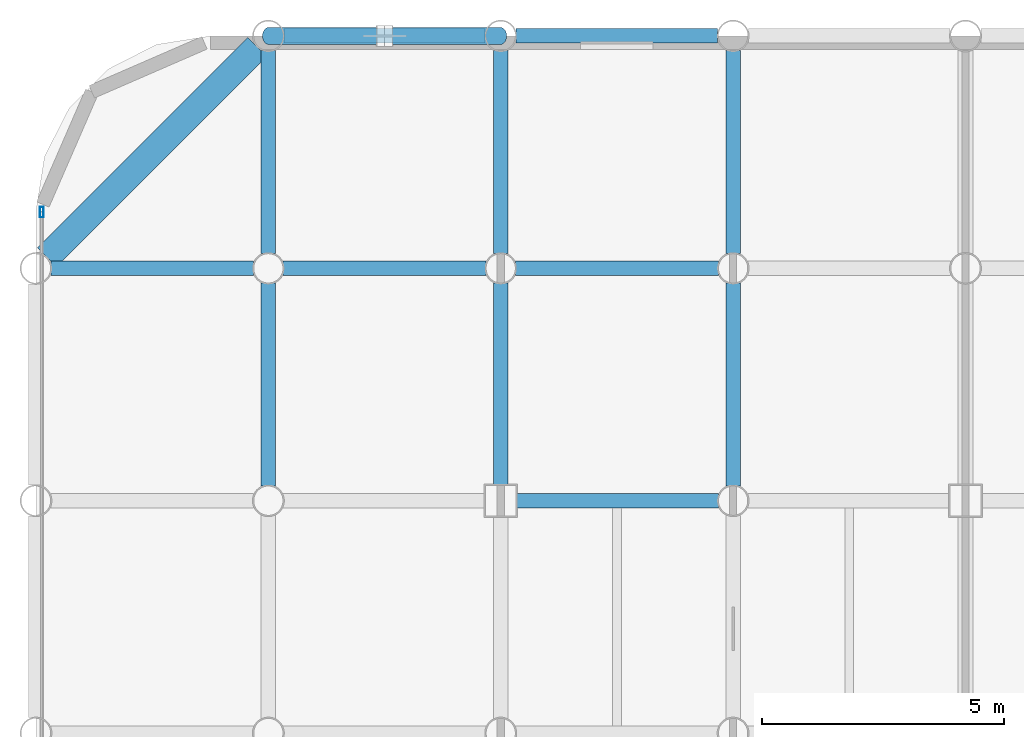
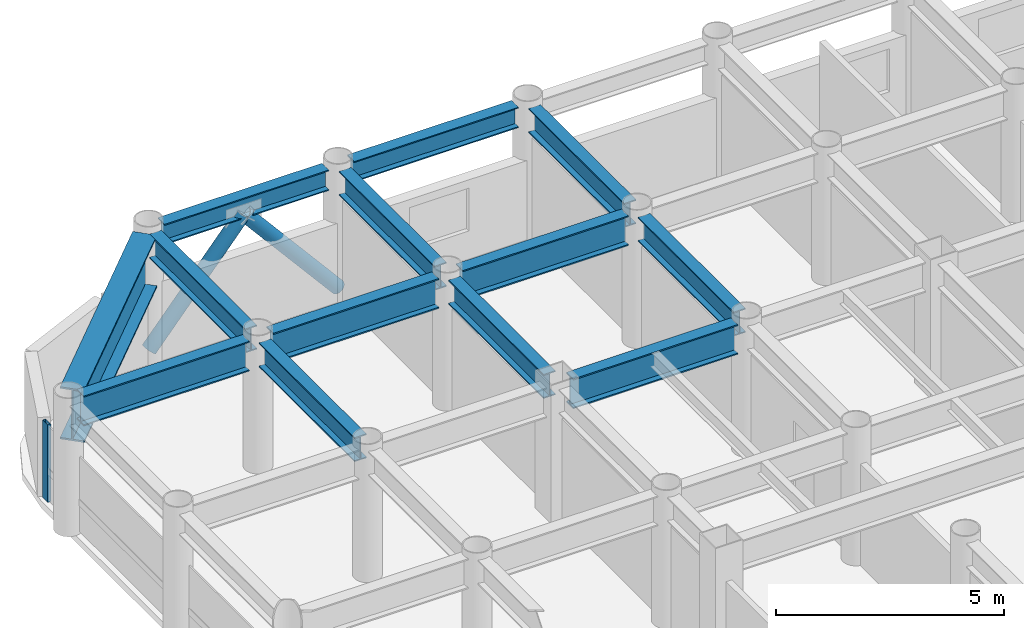
# One storey, part 10 of 20: 13 beams, 3 members, 1 element without a shape of its own.
"""IFC4 building model written with IfcOpenShell, lengths in metres."""

from ifc_helpers import new_model, si_unit, direction, frame, origin, origin_2d, place, context, subcontext, project, spatial, hollow_rectangle, hollow_circle, i_section, extrude, material, layer, layer_set, material_profile, profile_set, type_object, element, aggregate, save


model = new_model("IFC4")

# Units and contexts
model_context = context("Model", 3, precision=1e-05, world=origin(), true_north=direction((0.0, 1.0)))
body_context = subcontext(model_context, "Body", "Model", "MODEL_VIEW")
ifc_project = project(units=[si_unit("LENGTHUNIT", "METRE"), si_unit("AREAUNIT", "SQUARE_METRE"), si_unit("VOLUMEUNIT", "CUBIC_METRE"), si_unit("PLANEANGLEUNIT", "RADIAN"), si_unit("MASSUNIT", "GRAM", prefix="KILO")], contexts=[model_context])

# Site, building, storey
site_placement = place(None, origin())
site = spatial("IfcSite", under=ifc_project, at=site_placement, CompositionType="ELEMENT")
building_placement = place(site_placement, origin())
building = spatial("IfcBuilding", under=site, at=building_placement, Name="Kallvorn Hotel Tower", CompositionType="ELEMENT")
storey_placement = place(building_placement, frame((0.0, 0.0, 128.5)))
storey = spatial("IfcBuildingStorey", under=building, at=storey_placement, Name="L31", CompositionType="ELEMENT", Elevation=128.5)

# Beams
ifc_material_1 = material(Name="Structural steel S355JR", Category="steel")
ifc_material_profile_1 = material_profile(ifc_material_1, i_section(OverallWidth=0.300048828125, OverallDepth=0.550048828125, WebThickness=0.014892578125, FlangeThickness=0.029052734375, at=origin_2d()), Name="HE 550 B")
ifc_profile_set_1 = profile_set([ifc_material_profile_1], Name="Structural steel S355JR")
beam_type_1 = type_object("IfcBeamType", Name="BM_HE550B", PredefinedType="SPANDREL", material=ifc_profile_set_1)
for number, where, z_axis, x_axis, name in (
    (1, (-28.47998046875, 24.0, 3.2451171875), (1.0, 0.0, 0.0), (0.0, 1.0, 0.0), "L32 Perimeter Spandrel 163"),
    (2, (-23.679931640625, 24.0, 3.2451171875), (1.0, 0.0, 0.0), (0.0, 1.0, 0.0), "L32 Perimeter Spandrel 164"),
):
    element("IfcBeam", number, at=place(storey_placement, frame(where, z_axis=z_axis, x_axis=x_axis)), inside=storey, type_object=beam_type_1, Name=name, PredefinedType="SPANDREL", context=body_context, shape_type="SweptSolid", body=[
        extrude(i_section(OverallWidth=0.300048828125, OverallDepth=0.550048828125, WebThickness=0.014892578125, FlangeThickness=0.029052734375, at=origin_2d()), origin(), (0.0, 0.0, 1.0), 4.159912109375),
    ])
ifc_material_2 = material(Name="Structural steel S355JR", Category="steel")
ifc_material_profile_2 = material_profile(ifc_material_2, i_section(OverallWidth=0.300048828125, OverallDepth=0.64990234375, WebThickness=0.01611328125, FlangeThickness=0.031005859375, at=origin_2d()), Name="HE 650 B")
ifc_profile_set_2 = profile_set([ifc_material_profile_2], Name="Structural steel S355JR")
beam_type_2 = type_object("IfcBeamType", Name="BM_HE650B", PredefinedType="BEAM", material=ifc_profile_set_2)
beam_1_placement = place(storey_placement, frame((-28.800048828125, 14.705078125, 3.195068359375), z_axis=(0.0, 1.0, 0.0), x_axis=(-1.0, 0.0, 0.0)))
element("IfcBeam", 3, at=beam_1_placement, inside=storey, type_object=beam_type_2, Name="L32 Primary Y-Girder 80", PredefinedType="BEAM", context=body_context, shape_type="SweptSolid", body=[
    extrude(i_section(OverallWidth=0.300048828125, OverallDepth=0.64990234375, WebThickness=0.01611328125, FlangeThickness=0.031005859375, at=origin_2d()), origin(), (0.0, 0.0, 1.0), 4.18994140625),
])
beam_2_placement = place(storey_placement, frame((-28.800048828125, 19.5048828125, 3.195068359375), z_axis=(0.0, 1.0, 0.0), x_axis=(-1.0, 0.0, 0.0)))
element("IfcBeam", 4, at=beam_2_placement, inside=storey, type_object=beam_type_2, Name="L32 Primary Y-Girder 81", PredefinedType="BEAM", context=body_context, shape_type="SweptSolid", body=[
    extrude(i_section(OverallWidth=0.300048828125, OverallDepth=0.64990234375, WebThickness=0.01611328125, FlangeThickness=0.031005859375, at=origin_2d()), origin(), (0.0, 0.0, 1.0), 4.190185546875),
])
beam_3_placement = place(storey_placement, frame((-24.0, 14.72509765625, 3.195068359375), z_axis=(0.0, 1.0, 0.0), x_axis=(-1.0, 0.0, 0.0)))
element("IfcBeam", 5, at=beam_3_placement, inside=storey, type_object=beam_type_2, Name="L32 Primary Y-Girder 87", PredefinedType="BEAM", context=body_context, shape_type="SweptSolid", body=[
    extrude(i_section(OverallWidth=0.300048828125, OverallDepth=0.64990234375, WebThickness=0.01611328125, FlangeThickness=0.031005859375, at=origin_2d()), origin(), (0.0, 0.0, 1.0), 4.169921875),
])
beam_4_placement = place(storey_placement, frame((-24.0, 19.5048828125, 3.195068359375), z_axis=(0.0, 1.0, 0.0), x_axis=(-1.0, 0.0, 0.0)))
element("IfcBeam", 6, at=beam_4_placement, inside=storey, type_object=beam_type_2, Name="L32 Primary Y-Girder 88", PredefinedType="BEAM", context=body_context, shape_type="SweptSolid", body=[
    extrude(i_section(OverallWidth=0.300048828125, OverallDepth=0.64990234375, WebThickness=0.01611328125, FlangeThickness=0.031005859375, at=origin_2d()), origin(), (0.0, 0.0, 1.0), 4.190185546875),
])
beam_5_placement = place(storey_placement, frame((-19.199951171875, 14.705078125, 3.195068359375), z_axis=(0.0, 1.0, 0.0), x_axis=(-1.0, 0.0, 0.0)))
element("IfcBeam", 7, at=beam_5_placement, inside=storey, type_object=beam_type_2, Name="L32 Primary Y-Girder 96", PredefinedType="BEAM", context=body_context, shape_type="SweptSolid", body=[
    extrude(i_section(OverallWidth=0.300048828125, OverallDepth=0.64990234375, WebThickness=0.01611328125, FlangeThickness=0.031005859375, at=origin_2d()), origin(), (0.0, 0.0, 1.0), 4.18994140625),
])
beam_6_placement = place(storey_placement, frame((-19.199951171875, 19.5048828125, 3.195068359375), z_axis=(0.0, 1.0, 0.0), x_axis=(-1.0, 0.0, 0.0)))
element("IfcBeam", 8, at=beam_6_placement, inside=storey, type_object=beam_type_2, Name="L32 Primary Y-Girder 97", PredefinedType="BEAM", context=body_context, shape_type="SweptSolid", body=[
    extrude(i_section(OverallWidth=0.300048828125, OverallDepth=0.64990234375, WebThickness=0.01611328125, FlangeThickness=0.031005859375, at=origin_2d()), origin(), (0.0, 0.0, 1.0), 4.190185546875),
])
ifc_material_3 = material(Name="Structural steel S355JR", Category="steel")
ifc_material_profile_3 = material_profile(ifc_material_3, i_section(OverallWidth=0.300048828125, OverallDepth=0.800048828125, WebThickness=0.017578125, FlangeThickness=0.032958984375, at=origin_2d()), Name="HE 800 B")
ifc_profile_set_3 = profile_set([ifc_material_profile_3], Name="Structural steel S355JR")
beam_type_3 = type_object("IfcBeamType", Name="BM_HE800B", PredefinedType="BEAM", material=ifc_profile_set_3)
beam_7_placement = place(storey_placement, frame((-23.675048828125, 14.39990234375, 3.1201171875), z_axis=(1.0, 0.0, 0.0), x_axis=(0.0, 1.0, 0.0)))
element("IfcBeam", 9, at=beam_7_placement, inside=storey, type_object=beam_type_3, Name="L32 Primary X-Girder 52", PredefinedType="BEAM", context=body_context, shape_type="SweptSolid", body=[
    extrude(i_section(OverallWidth=0.300048828125, OverallDepth=0.800048828125, WebThickness=0.017578125, FlangeThickness=0.032958984375, at=origin_2d()), origin(), (0.0, 0.0, 1.0), 4.170166015625),
])
beam_8_placement = place(storey_placement, frame((-33.294921875, 19.199951171875, 3.1201171875), z_axis=(1.0, 0.0, 0.0), x_axis=(0.0, 1.0, 0.0)))
element("IfcBeam", 10, at=beam_8_placement, inside=storey, type_object=beam_type_3, Name="L32 Primary X-Girder 60", PredefinedType="BEAM", context=body_context, shape_type="SweptSolid", body=[
    extrude(i_section(OverallWidth=0.300048828125, OverallDepth=0.800048828125, WebThickness=0.017578125, FlangeThickness=0.032958984375, at=origin_2d()), origin(), (0.0, 0.0, 1.0), 4.18994140625),
])
for number, where, z_axis, x_axis, name in (
    (11, (-28.4951171875, 19.199951171875, 3.1201171875), (1.0, 0.0, 0.0), (0.0, 1.0, 0.0), "L32 Primary X-Girder 61"),
    (12, (-23.695068359375, 19.199951171875, 3.1201171875), (1.0, 0.0, 0.0), (0.0, 1.0, 0.0), "L32 Primary X-Girder 62"),
):
    element("IfcBeam", number, at=place(storey_placement, frame(where, z_axis=z_axis, x_axis=x_axis)), inside=storey, type_object=beam_type_3, Name=name, PredefinedType="BEAM", context=body_context, shape_type="SweptSolid", body=[
        extrude(i_section(OverallWidth=0.300048828125, OverallDepth=0.800048828125, WebThickness=0.017578125, FlangeThickness=0.032958984375, at=origin_2d()), origin(), (0.0, 0.0, 1.0), 4.190185546875),
    ])
ifc_material_4 = material(Name="Structural steel S355JR", Category="steel")
ifc_material_profile_4 = material_profile(ifc_material_4, i_section(OverallWidth=0.550048828125, OverallDepth=1.39990234375, WebThickness=0.02490234375, FlangeThickness=0.044921875, at=origin_2d()), Name="PG 1400x550x25x45")
ifc_profile_set_4 = profile_set([ifc_material_profile_4], Name="Structural steel S355JR")
beam_type_4 = type_object("IfcBeamType", Name="BM_PG_1400", PredefinedType="BEAM", material=ifc_profile_set_4)
beam_9_placement = place(storey_placement, frame((-33.373779296875, 19.42626953125, 2.820068359375), z_axis=(0.707106781187, 0.707106781187, 0.0), x_axis=(-0.707106781187, 0.707106781187, 0.0)))
element("IfcBeam", 13, at=beam_9_placement, inside=storey, type_object=beam_type_4, Name="L32 Rounded Corner Tie Beam 190", PredefinedType="BEAM", context=body_context, shape_type="SweptSolid", body=[
    extrude(i_section(OverallWidth=0.550048828125, OverallDepth=1.39990234375, WebThickness=0.02490234375, FlangeThickness=0.044921875, at=origin_2d()), origin(), (0.0, 0.0, 1.0), 6.148193359375),
])

# Curtain wall, member
ifc_material_5 = material(Name="Thermally broken black-anodised aluminium AA 6063-T6", Category="aluminium")
ifc_layer = layer(ifc_material_5, 0.2099609375)
ifc_layer_set = layer_set([ifc_layer], Name="CW_SYS_4_HOTEL_MID")
curtain_wall_type = type_object("IfcCurtainWallType", Name="CW_SYS_4_HOTEL_MID", PredefinedType="USERDEFINED", material=ifc_layer_set)
curtain_wall_placement = place(storey_placement, origin())
curtain_wall = element("IfcCurtainWall", 14, at=curtain_wall_placement, inside=storey, type_object=curtain_wall_type, Name="L31 Dark-Glass Curtain Wall CW-L31-WN", ObjectType="UNITISED CURTAIN WALL", PredefinedType="USERDEFINED")
ifc_material_6 = material(Name="Thermally broken black-anodised aluminium AA 6063-T6", Category="aluminium")
ifc_material_profile_5 = material_profile(ifc_material_6, hollow_rectangle(XDim=0.080078125, YDim=0.219970703125, WallThickness=0.0048828125, at=origin_2d()), Name="MUL 220x80")
ifc_profile_set_5 = profile_set([ifc_material_profile_5], Name="Thermally broken black-anodised aluminium AA 6063-T6")
member_type_1 = type_object("IfcMemberType", Name="CW_MULLION_220x80", PredefinedType="MULLION", material=ifc_profile_set_5)
member_placement = place(storey_placement, frame((-33.47998046875, 20.360107421875, 0.02001953125), z_axis=(0.0, 0.0, 1.0), x_axis=(1.0, 0.0, 0.0)))
member = element("IfcMember", 15, at=member_placement, type_object=member_type_1, Name="CW-L31-WN Mullion 01", PredefinedType="MULLION", context=body_context, shape_type="SweptSolid", body=[
    extrude(hollow_rectangle(XDim=0.080078125, YDim=0.219970703125, WallThickness=0.0048828125, at=origin_2d()), origin(), (0.0, 0.0, 1.0), 2.080078125),
])
aggregate(curtain_wall, [member])

# Members
ifc_material_7 = material(Name="Structural steel S355J2H", Category="steel")
ifc_material_profile_6 = material_profile(ifc_material_7, hollow_circle(Radius=0.177734375, WallThickness=0.01416015625, at=origin_2d()), Name="CHS 355.6x14.2")
ifc_profile_set_6 = profile_set([ifc_material_profile_6], Name="Structural steel S355J2H")
member_type_2 = type_object("IfcMemberType", Name="MBR_EXO_CHS355", PredefinedType="BRACE", material=ifc_profile_set_6)
for number, where, z_axis, x_axis, name in (
    (16, (-28.787109375, 24.0, 0.1953125), (0.646833296797, 0.0, 0.762631422218), (0.0, 1.0, 0.0), "L31 Exoskeleton K-Brace N1A"),
    (17, (-24.012939453125, 24.0, 0.1953125), (-0.646833296797, 0.0, 0.762631422218), (0.0, -1.0, 0.0), "L31 Exoskeleton K-Brace N1B"),
):
    element("IfcMember", number, at=place(storey_placement, frame(where, z_axis=z_axis, x_axis=x_axis)), inside=storey, type_object=member_type_2, Name=name, PredefinedType="BRACE", context=body_context, shape_type="SweptSolid", body=[
        extrude(hollow_circle(Radius=0.177734375, WallThickness=0.01416015625, at=origin_2d()), origin(), (0.0, 0.0, 1.0), 3.670654296875),
    ])

save(model, "model.ifc")
